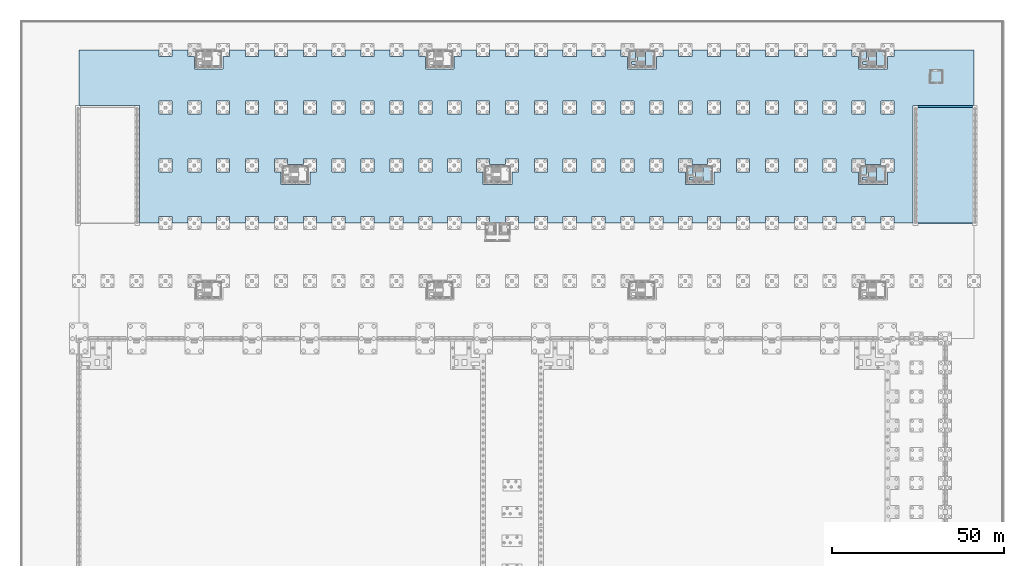
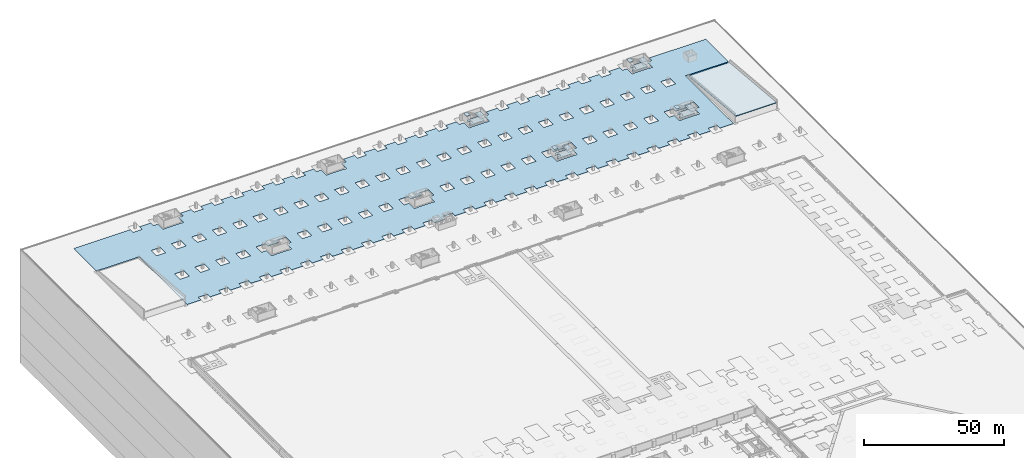
# One storey, part 33 of 67: 15 slabs, 4 elements without a shape of their own.
"""IFC4 building model written with IfcOpenShell, lengths in metres."""

import ifcopenshell
import ifcopenshell.guid

model = None  # the IFC model being written
_history = None  # IfcOwnerHistory: only IFC2X3 demands one
_inside = {}  # id of a spatial element -> (the spatial element, [elements in it])
_under = {}  # id of a project, library or spatial element -> (it, [spatial elements below it])
_declared = {}  # id of a project -> (the project, [libraries it declares])
_typed = {}  # id of a type object -> (the type object, [elements of that type])
_made_of = {}  # id of a material, layer set ... -> (it, [elements and type objects made of it])


def new_model(schema):
    """Start an empty IFC model of exactly this schema.

    Asked for "IFC4X3", IfcOpenShell would pick the latest addendum, in which some entities
    have other attributes; the version numbers below select the first issue.
    IFC2X3 requires an IfcOwnerHistory on every rooted entity: one is made here for all.
    """
    global model, _history
    if schema == "IFC4X3":
        model = ifcopenshell.file(schema_version=(4, 3, 0, 0))
    else:
        model = ifcopenshell.file(schema=schema)
    _inside.clear()
    _under.clear()
    _declared.clear()
    _typed.clear()
    _made_of.clear()
    _history = None
    if model.schema == "IFC2X3":
        org = make("IfcOrganization", Name="unknown")
        user = make(
            "IfcPersonAndOrganization",
            ThePerson=make("IfcPerson", FamilyName="unknown"),
            TheOrganization=org,
        )
        app = make(
            "IfcApplication",
            ApplicationDeveloper=org,
            Version="unknown",
            ApplicationFullName="unknown",
            ApplicationIdentifier="unknown",
        )
        _history = make(
            "IfcOwnerHistory",
            OwningUser=user,
            OwningApplication=app,
            ChangeAction="ADDED",
            CreationDate=0,
        )
    return model


def make(cls, **values):
    """One entity of the class cls with the attributes given. An attribute that is None is left unset."""
    return model.create_entity(
        cls, **{name: value for name, value in values.items() if value is not None}
    )


def rooted(cls, **values):
    """An entity with a GlobalId (a new one), such as an element, a storey or a relation."""
    return make(cls, GlobalId=ifcopenshell.guid.new(), OwnerHistory=_history, **values)


def si_unit(unit_type, name, prefix=None):
    """IfcSIUnit, for example si_unit("LENGTHUNIT", "METRE", prefix="MILLI")."""
    return make("IfcSIUnit", UnitType=unit_type, Prefix=prefix, Name=name)


def assignment(units):
    """IfcUnitAssignment: the units of a project."""
    return None if units is None else make("IfcUnitAssignment", Units=units)


def point(xyz):
    """IfcCartesianPoint."""
    return None if xyz is None else make("IfcCartesianPoint", Coordinates=xyz)


def direction(xyz):
    """IfcDirection."""
    return None if xyz is None else make("IfcDirection", DirectionRatios=xyz)


def frame(location, z_axis=None, x_axis=None):
    """IfcAxis2Placement3D, a coordinate frame: its origin and axes. An axis left out is left unset."""
    return make(
        "IfcAxis2Placement3D",
        Location=point(location),
        Axis=direction(z_axis),
        RefDirection=direction(x_axis),
    )


def origin():
    """The frame at (0, 0, 0) with its axes left unset."""
    return frame((0.0, 0.0, 0.0))


def place(relative_to, where):
    """IfcLocalPlacement: puts the frame where relative to a parent placement (None: the world)."""
    return make(
        "IfcLocalPlacement", PlacementRelTo=relative_to, RelativePlacement=where
    )


def context(
    kind, dimensions, precision=None, world=None, true_north=None, identifier=None
):
    """IfcGeometricRepresentationContext, for example the 3D "Model" context."""
    return make(
        "IfcGeometricRepresentationContext",
        ContextIdentifier=identifier,
        ContextType=kind,
        CoordinateSpaceDimension=dimensions,
        Precision=precision,
        WorldCoordinateSystem=world,
        TrueNorth=true_north,
    )


def subcontext(parent, identifier, kind, view, scale=None):
    """IfcGeometricRepresentationSubContext, for example "Body" below "Model"."""
    return make(
        "IfcGeometricRepresentationSubContext",
        ContextIdentifier=identifier,
        ContextType=kind,
        ParentContext=parent,
        TargetScale=scale,
        TargetView=view,
    )


def project(units=None, contexts=None):
    """IfcProject with its units and contexts."""
    return rooted(
        "IfcProject",
        Name="project",
        RepresentationContexts=contexts,
        UnitsInContext=assignment(units),
    )


def spatial(cls, under=None, at=None, **own):
    """A site, building, storey or space (cls), placed at a placement, below another one or the project."""
    s = rooted(cls, ObjectPlacement=at, **own)
    if under is not None:
        _under.setdefault(under.id(), (under, []))[1].append(s)
    return s


def polyline(points):
    """IfcPolyline through the points."""
    return make("IfcPolyline", Points=[point(p) for p in points])


def outline(outer, holes=None, kind="AREA"):
    """IfcArbitraryClosedProfileDef: a profile drawn as a closed curve; with holes, ...WithVoids."""
    if holes is None:
        return make("IfcArbitraryClosedProfileDef", ProfileType=kind, OuterCurve=outer)
    return make(
        "IfcArbitraryProfileDefWithVoids",
        ProfileType=kind,
        OuterCurve=outer,
        InnerCurves=holes,
    )


def extrude(swept, where, along, depth):
    """IfcExtrudedAreaSolid: the profile swept, set in the frame where, extruded along a direction by depth."""
    return make(
        "IfcExtrudedAreaSolid",
        SweptArea=swept,
        Position=where,
        ExtrudedDirection=direction(along),
        Depth=depth,
    )


def shape(context_of_items, identifier, shape_type, items):
    """IfcShapeRepresentation: the items that make up one representation, for example the "Body"."""
    return make(
        "IfcShapeRepresentation",
        ContextOfItems=context_of_items,
        RepresentationIdentifier=identifier,
        RepresentationType=shape_type,
        Items=items,
    )


def material(Name=None, Category=None):
    """IfcMaterial."""
    return make("IfcMaterial", Name=Name, Category=Category)


def layer(
    of_material, thickness, ventilated=None, Name=None, Category=None, Priority=None
):
    """IfcMaterialLayer: one layer of a wall or slab, of a material (None: an air gap)."""
    return make(
        "IfcMaterialLayer",
        Material=of_material,
        LayerThickness=thickness,
        IsVentilated=ventilated,
        Name=Name,
        Category=Category,
        Priority=Priority,
    )


def layer_set(layers, Name=None):
    """IfcMaterialLayerSet."""
    return make("IfcMaterialLayerSet", MaterialLayers=layers, LayerSetName=Name)


def made_of(thing, what):
    """Note that an element or type object is made of a material, layer set ...; save() writes the relation."""
    if what is not None:
        _made_of.setdefault(what.id(), (what, []))[1].append(thing)
    return thing


def type_object(cls, material=None, **own):
    """A type object (cls), such as IfcWallType, which elements share."""
    return made_of(rooted(cls, **own), material)


def element(
    cls,
    number,
    at=None,
    inside=None,
    cuts=None,
    type_object=None,
    material=None,
    context=None,
    identifier="Body",
    shape_type=None,
    held_by="IfcProductDefinitionShape",
    body=None,
    shapes=None,
    **own,
):
    """One element of the class cls, such as IfcWall. Its Tag is "e" and its number.

    at: its placement. inside: the storey or other place that contains it. cuts: it is an
    opening in that element (IfcRelVoidsElement). A single representation is given by context,
    identifier, shape_type and body (its items); several are given by shapes. held_by: the class
    of the entity that holds the representations. save() writes the other relations.
    """
    e = rooted(cls, Tag="e%d" % number, ObjectPlacement=at, **own)
    if body is not None:
        shapes = [shape(context, identifier, shape_type, body)]
    if shapes is not None:
        e.Representation = make(held_by, Representations=shapes)
    if inside is not None:
        _inside.setdefault(inside.id(), (inside, []))[1].append(e)
    if cuts is not None:
        rooted(
            "IfcRelVoidsElement", RelatingBuildingElement=cuts, RelatedOpeningElement=e
        )
    if type_object is not None:
        _typed.setdefault(type_object.id(), (type_object, []))[1].append(e)
    return made_of(e, material)


def aggregate(whole, parts):
    """IfcRelAggregates: a whole, such as a stair, and the parts it consists of."""
    return rooted("IfcRelAggregates", RelatingObject=whole, RelatedObjects=parts)


def save(model, path):
    """Write the relations noted so far, then the file.

    IfcRelAggregates (storeys below a building ...), IfcRelContainedInSpatialStructure (elements
    in a storey), IfcRelDefinesByType, IfcRelAssociatesMaterial and IfcRelDeclares: one each for
    every whole, place, type object, material and project.
    """
    for whole, parts in _under.values():
        aggregate(whole, parts)
    for where, things in _inside.values():
        rooted(
            "IfcRelContainedInSpatialStructure",
            RelatedElements=things,
            RelatingStructure=where,
        )
    for kind, things in _typed.values():
        rooted("IfcRelDefinesByType", RelatedObjects=things, RelatingType=kind)
    for what, things in _made_of.values():
        rooted("IfcRelAssociatesMaterial", RelatedObjects=things, RelatingMaterial=what)
    for by, libraries in _declared.values():
        rooted("IfcRelDeclares", RelatingContext=by, RelatedDefinitions=libraries)
    model.write(path)


model = new_model("IFC4")

# Units and contexts
model_context = context("Model", 3, precision=1e-05, world=origin(), true_north=direction((0.0, 1.0)))
body_context = subcontext(model_context, "Body", "Model", "MODEL_VIEW")
ifc_project = project(units=[si_unit("LENGTHUNIT", "METRE"), si_unit("AREAUNIT", "SQUARE_METRE"), si_unit("VOLUMEUNIT", "CUBIC_METRE"), si_unit("PLANEANGLEUNIT", "RADIAN"), si_unit("MASSUNIT", "GRAM", prefix="KILO")], contexts=[model_context])

# Site, building, storey
site_placement = place(None, origin())
site = spatial("IfcSite", under=ifc_project, at=site_placement, CompositionType="ELEMENT")
building_placement = place(site_placement, origin())
building = spatial("IfcBuilding", under=site, at=building_placement, Name="Rain Tree Exposition and Congress Centre", CompositionType="ELEMENT")
storey_placement = place(building_placement, frame((0.0, 0.0, -3.0)))
storey = spatial("IfcBuildingStorey", under=building, at=storey_placement, Name="B1", CompositionType="ELEMENT", Elevation=-3.0)

# Slabs
ifc_material_1 = material(Name="Concrete C40/50", Category="concrete")
ifc_layer_1 = layer(ifc_material_1, 0.300048828125)
ifc_layer_set_1 = layer_set([ifc_layer_1], Name="Concrete C40/50")
slab_type_1 = type_object("IfcSlabType", Name="Ground slab 300 logistics", PredefinedType="BASESLAB", material=ifc_layer_set_1)
slab_1_placement = place(storey_placement, frame((0.0, 0.0, -0.300048828125)))
element("IfcSlab", 1, at=slab_1_placement, inside=storey, type_object=slab_type_1, Name="Service yard slab", PredefinedType="BASESLAB", context=body_context, shape_type="SweptSolid", body=[
    extrude(outline(polyline([(268.800048828125, 285.60009765625), (245.5, 285.60009765625), (245.5, 283.699951171875), (243.60009765625, 283.699951171875), (243.60009765625, 280.60009765625), (243.60009765625, 280.0), (242.39990234375, 280.0), (242.39990234375, 280.10009765625), (239.39990234375, 280.10009765625), (236.39990234375, 280.10009765625), (236.39990234375, 280.0), (235.199951171875, 280.0), (235.199951171875, 283.699951171875), (233.300048828125, 283.699951171875), (233.300048828125, 285.60009765625), (228.699951171875, 285.60009765625), (228.699951171875, 283.699951171875), (224.89990234375, 283.699951171875), (224.89990234375, 285.60009765625), (220.300048828125, 285.60009765625), (220.300048828125, 283.699951171875), (216.5, 283.699951171875), (216.5, 285.60009765625), (211.89990234375, 285.60009765625), (211.89990234375, 283.699951171875), (208.10009765625, 283.699951171875), (208.10009765625, 285.60009765625), (203.5, 285.60009765625), (203.5, 283.699951171875), (199.699951171875, 283.699951171875), (199.699951171875, 285.60009765625), (195.10009765625, 285.60009765625), (195.10009765625, 283.699951171875), (191.300048828125, 283.699951171875), (191.300048828125, 285.60009765625), (186.699951171875, 285.60009765625), (186.699951171875, 283.699951171875), (182.89990234375, 283.699951171875), (182.89990234375, 285.60009765625), (178.300048828125, 285.60009765625), (178.300048828125, 283.699951171875), (176.39990234375, 283.699951171875), (176.39990234375, 280.60009765625), (176.39990234375, 280.0), (175.199951171875, 280.0), (175.199951171875, 280.10009765625), (172.199951171875, 280.10009765625), (169.199951171875, 280.10009765625), (169.199951171875, 280.0), (168.0, 280.0), (168.0, 283.699951171875), (166.10009765625, 283.699951171875), (166.10009765625, 285.60009765625), (161.5, 285.60009765625), (161.5, 283.699951171875), (157.699951171875, 283.699951171875), (157.699951171875, 285.60009765625), (153.10009765625, 285.60009765625), (153.10009765625, 283.699951171875), (149.300048828125, 283.699951171875), (149.300048828125, 285.60009765625), (144.699951171875, 285.60009765625), (144.699951171875, 283.699951171875), (140.89990234375, 283.699951171875), (140.89990234375, 285.60009765625), (136.300048828125, 285.60009765625), (136.300048828125, 283.699951171875), (132.5, 283.699951171875), (132.5, 285.60009765625), (127.89990234375, 285.60009765625), (127.89990234375, 283.699951171875), (124.10009765625, 283.699951171875), (124.10009765625, 285.60009765625), (119.5, 285.60009765625), (119.5, 283.699951171875), (117.60009765625, 283.699951171875), (117.60009765625, 280.60009765625), (117.60009765625, 280.0), (116.39990234375, 280.0), (116.39990234375, 280.10009765625), (113.39990234375, 280.10009765625), (110.39990234375, 280.10009765625), (110.39990234375, 280.0), (109.199951171875, 280.0), (109.199951171875, 283.699951171875), (107.300048828125, 283.699951171875), (107.300048828125, 285.60009765625), (102.699951171875, 285.60009765625), (102.699951171875, 283.699951171875), (98.89990234375, 283.699951171875), (98.89990234375, 285.60009765625), (94.300048828125, 285.60009765625), (94.300048828125, 283.699951171875), (90.5, 283.699951171875), (90.5, 285.60009765625), (85.89990234375, 285.60009765625), (85.89990234375, 283.699951171875), (82.10009765625, 283.699951171875), (82.10009765625, 285.60009765625), (77.5, 285.60009765625), (77.5, 283.699951171875), (73.699951171875, 283.699951171875), (73.699951171875, 285.60009765625), (69.10009765625, 285.60009765625), (69.10009765625, 283.699951171875), (65.300048828125, 283.699951171875), (65.300048828125, 285.60009765625), (60.699951171875, 285.60009765625), (60.699951171875, 283.699951171875), (56.89990234375, 283.699951171875), (56.89990234375, 285.60009765625), (52.300048828125, 285.60009765625), (52.300048828125, 283.699951171875), (50.39990234375, 283.699951171875), (50.39990234375, 280.60009765625), (50.39990234375, 280.0), (49.199951171875, 280.0), (49.199951171875, 280.10009765625), (46.199951171875, 280.10009765625), (43.199951171875, 280.10009765625), (43.199951171875, 280.0), (42.0, 280.0), (42.0, 283.699951171875), (40.10009765625, 283.699951171875), (40.10009765625, 285.60009765625), (35.5, 285.60009765625), (35.5, 283.699951171875), (31.699951171875, 283.699951171875), (31.699951171875, 285.60009765625), (8.39990234375, 285.60009765625), (8.39990234375, 269.5), (8.89990234375, 269.5), (8.89990234375, 269.39990234375), (24.699951171875, 269.39990234375), (24.699951171875, 269.5), (26.10009765625, 269.5), (26.10009765625, 235.199951171875), (31.699951171875, 235.199951171875), (31.699951171875, 237.10009765625), (35.5, 237.10009765625), (35.5, 235.199951171875), (40.10009765625, 235.199951171875), (40.10009765625, 237.10009765625), (43.89990234375, 237.10009765625), (43.89990234375, 235.199951171875), (48.5, 235.199951171875), (48.5, 237.10009765625), (52.300048828125, 237.10009765625), (52.300048828125, 235.199951171875), (56.89990234375, 235.199951171875), (56.89990234375, 237.10009765625), (60.699951171875, 237.10009765625), (60.699951171875, 235.199951171875), (65.300048828125, 235.199951171875), (65.300048828125, 237.10009765625), (69.10009765625, 237.10009765625), (69.10009765625, 235.199951171875), (73.699951171875, 235.199951171875), (73.699951171875, 237.10009765625), (77.5, 237.10009765625), (77.5, 235.199951171875), (82.10009765625, 235.199951171875), (82.10009765625, 237.10009765625), (85.89990234375, 237.10009765625), (85.89990234375, 235.199951171875), (90.5, 235.199951171875), (90.5, 237.10009765625), (94.300048828125, 237.10009765625), (94.300048828125, 235.199951171875), (98.89990234375, 235.199951171875), (98.89990234375, 237.10009765625), (102.699951171875, 237.10009765625), (102.699951171875, 235.199951171875), (107.300048828125, 235.199951171875), (107.300048828125, 237.10009765625), (111.10009765625, 237.10009765625), (111.10009765625, 235.199951171875), (115.699951171875, 235.199951171875), (115.699951171875, 237.10009765625), (119.5, 237.10009765625), (119.5, 235.199951171875), (124.10009765625, 235.199951171875), (124.10009765625, 237.10009765625), (127.89990234375, 237.10009765625), (127.89990234375, 235.199951171875), (132.5, 235.199951171875), (132.5, 237.10009765625), (136.300048828125, 237.10009765625), (136.300048828125, 235.199951171875), (140.89990234375, 235.199951171875), (140.89990234375, 237.10009765625), (144.699951171875, 237.10009765625), (144.699951171875, 235.199951171875), (149.300048828125, 235.199951171875), (149.300048828125, 237.10009765625), (153.10009765625, 237.10009765625), (153.10009765625, 235.199951171875), (157.699951171875, 235.199951171875), (157.699951171875, 237.10009765625), (161.5, 237.10009765625), (161.5, 235.199951171875), (166.10009765625, 235.199951171875), (166.10009765625, 237.10009765625), (169.89990234375, 237.10009765625), (169.89990234375, 235.199951171875), (174.5, 235.199951171875), (174.5, 237.10009765625), (178.300048828125, 237.10009765625), (178.300048828125, 235.199951171875), (182.89990234375, 235.199951171875), (182.89990234375, 237.10009765625), (186.699951171875, 237.10009765625), (186.699951171875, 235.199951171875), (191.300048828125, 235.199951171875), (191.300048828125, 237.10009765625), (195.10009765625, 237.10009765625), (195.10009765625, 235.199951171875), (199.699951171875, 235.199951171875), (199.699951171875, 237.10009765625), (203.5, 237.10009765625), (203.5, 235.199951171875), (208.10009765625, 235.199951171875), (208.10009765625, 237.10009765625), (211.89990234375, 237.10009765625), (211.89990234375, 235.199951171875), (216.5, 235.199951171875), (216.5, 237.10009765625), (220.300048828125, 237.10009765625), (220.300048828125, 235.199951171875), (224.89990234375, 235.199951171875), (224.89990234375, 237.10009765625), (228.699951171875, 237.10009765625), (228.699951171875, 235.199951171875), (233.300048828125, 235.199951171875), (233.300048828125, 237.10009765625), (237.10009765625, 237.10009765625), (237.10009765625, 235.199951171875), (241.699951171875, 235.199951171875), (241.699951171875, 237.10009765625), (245.5, 237.10009765625), (245.5, 235.199951171875), (251.10009765625, 235.199951171875), (251.10009765625, 268.800048828125), (251.10009765625, 269.5), (252.5, 269.5), (252.5, 269.39990234375), (268.300048828125, 269.39990234375), (268.300048828125, 269.5), (268.800048828125, 269.5), (268.800048828125, 285.60009765625)]), holes=[polyline([(75.60009765625, 247.0), (75.60009765625, 250.10009765625), (77.5, 250.10009765625), (77.5, 253.89990234375), (73.699951171875, 253.89990234375), (73.699951171875, 252.300048828125), (71.39990234375, 252.300048828125), (69.10009765625, 252.300048828125), (69.10009765625, 253.89990234375), (65.300048828125, 253.89990234375), (65.300048828125, 250.10009765625), (67.199951171875, 250.10009765625), (67.199951171875, 246.39990234375), (68.39990234375, 246.39990234375), (68.39990234375, 246.5), (71.39990234375, 246.5), (74.39990234375, 246.5), (74.39990234375, 246.39990234375), (75.60009765625, 246.39990234375), (75.60009765625, 247.0)]), polyline([(56.89990234375, 253.89990234375), (56.89990234375, 250.10009765625), (60.699951171875, 250.10009765625), (60.699951171875, 253.89990234375), (56.89990234375, 253.89990234375)]), polyline([(48.5, 253.89990234375), (48.5, 250.10009765625), (52.300048828125, 250.10009765625), (52.300048828125, 253.89990234375), (48.5, 253.89990234375)]), polyline([(40.10009765625, 253.89990234375), (40.10009765625, 250.10009765625), (43.89990234375, 250.10009765625), (43.89990234375, 253.89990234375), (40.10009765625, 253.89990234375)]), polyline([(31.699951171875, 250.10009765625), (35.5, 250.10009765625), (35.5, 253.89990234375), (31.699951171875, 253.89990234375), (31.699951171875, 250.10009765625)]), polyline([(73.699951171875, 270.699951171875), (73.699951171875, 266.89990234375), (77.5, 266.89990234375), (77.5, 270.699951171875), (73.699951171875, 270.699951171875)]), polyline([(48.5, 270.699951171875), (48.5, 266.89990234375), (52.300048828125, 266.89990234375), (52.300048828125, 270.699951171875), (48.5, 270.699951171875)]), polyline([(65.300048828125, 270.699951171875), (65.300048828125, 266.89990234375), (69.10009765625, 266.89990234375), (69.10009765625, 270.699951171875), (65.300048828125, 270.699951171875)]), polyline([(56.89990234375, 270.699951171875), (56.89990234375, 266.89990234375), (60.699951171875, 266.89990234375), (60.699951171875, 270.699951171875), (56.89990234375, 270.699951171875)]), polyline([(40.10009765625, 270.699951171875), (40.10009765625, 266.89990234375), (43.89990234375, 266.89990234375), (43.89990234375, 270.699951171875), (40.10009765625, 270.699951171875)]), polyline([(31.699951171875, 270.699951171875), (31.699951171875, 266.89990234375), (35.5, 266.89990234375), (35.5, 270.699951171875), (31.699951171875, 270.699951171875)]), polyline([(134.39990234375, 246.39990234375), (134.39990234375, 247.0), (134.39990234375, 250.10009765625), (136.300048828125, 250.10009765625), (136.300048828125, 253.89990234375), (132.5, 253.89990234375), (132.5, 252.300048828125), (130.199951171875, 252.300048828125), (127.89990234375, 252.300048828125), (127.89990234375, 253.89990234375), (124.10009765625, 253.89990234375), (124.10009765625, 250.10009765625), (126.0, 250.10009765625), (126.0, 246.39990234375), (127.199951171875, 246.39990234375), (127.199951171875, 246.5), (130.199951171875, 246.5), (133.199951171875, 246.5), (133.199951171875, 246.39990234375), (134.39990234375, 246.39990234375)]), polyline([(82.10009765625, 253.89990234375), (82.10009765625, 250.10009765625), (85.89990234375, 250.10009765625), (85.89990234375, 253.89990234375), (82.10009765625, 253.89990234375)]), polyline([(115.699951171875, 253.89990234375), (115.699951171875, 250.10009765625), (119.5, 250.10009765625), (119.5, 253.89990234375), (115.699951171875, 253.89990234375)]), polyline([(107.300048828125, 253.89990234375), (107.300048828125, 250.10009765625), (111.10009765625, 250.10009765625), (111.10009765625, 253.89990234375), (107.300048828125, 253.89990234375)]), polyline([(98.89990234375, 253.89990234375), (98.89990234375, 250.10009765625), (102.699951171875, 250.10009765625), (102.699951171875, 253.89990234375), (98.89990234375, 253.89990234375)]), polyline([(90.5, 250.10009765625), (94.300048828125, 250.10009765625), (94.300048828125, 253.89990234375), (90.5, 253.89990234375), (90.5, 250.10009765625)]), polyline([(107.300048828125, 270.699951171875), (107.300048828125, 266.89990234375), (111.10009765625, 266.89990234375), (111.10009765625, 270.699951171875), (107.300048828125, 270.699951171875)]), polyline([(98.89990234375, 270.699951171875), (98.89990234375, 266.89990234375), (102.699951171875, 266.89990234375), (102.699951171875, 270.699951171875), (98.89990234375, 270.699951171875)]), polyline([(115.699951171875, 270.699951171875), (115.699951171875, 266.89990234375), (119.5, 266.89990234375), (119.5, 270.699951171875), (115.699951171875, 270.699951171875)]), polyline([(124.10009765625, 270.699951171875), (124.10009765625, 266.89990234375), (127.89990234375, 266.89990234375), (127.89990234375, 270.699951171875), (124.10009765625, 270.699951171875)]), polyline([(90.5, 270.699951171875), (90.5, 266.89990234375), (94.300048828125, 266.89990234375), (94.300048828125, 270.699951171875), (90.5, 270.699951171875)]), polyline([(82.10009765625, 270.699951171875), (82.10009765625, 266.89990234375), (85.89990234375, 266.89990234375), (85.89990234375, 270.699951171875), (82.10009765625, 270.699951171875)]), polyline([(132.5, 266.89990234375), (136.300048828125, 266.89990234375), (136.300048828125, 270.699951171875), (132.5, 270.699951171875), (132.5, 266.89990234375)]), polyline([(193.199951171875, 246.39990234375), (193.199951171875, 247.0), (193.199951171875, 250.10009765625), (195.10009765625, 250.10009765625), (195.10009765625, 253.89990234375), (191.300048828125, 253.89990234375), (191.300048828125, 252.300048828125), (189.0, 252.300048828125), (186.699951171875, 252.300048828125), (186.699951171875, 253.89990234375), (182.89990234375, 253.89990234375), (182.89990234375, 250.10009765625), (184.800048828125, 250.10009765625), (184.800048828125, 246.39990234375), (186.0, 246.39990234375), (186.0, 246.5), (189.0, 246.5), (192.0, 246.5), (192.0, 246.39990234375), (193.199951171875, 246.39990234375)]), polyline([(140.89990234375, 253.89990234375), (140.89990234375, 250.10009765625), (144.699951171875, 250.10009765625), (144.699951171875, 253.89990234375), (140.89990234375, 253.89990234375)]), polyline([(174.5, 253.89990234375), (174.5, 250.10009765625), (178.300048828125, 250.10009765625), (178.300048828125, 253.89990234375), (174.5, 253.89990234375)]), polyline([(166.10009765625, 253.89990234375), (166.10009765625, 250.10009765625), (169.89990234375, 250.10009765625), (169.89990234375, 253.89990234375), (166.10009765625, 253.89990234375)]), polyline([(157.699951171875, 253.89990234375), (157.699951171875, 250.10009765625), (161.5, 250.10009765625), (161.5, 253.89990234375), (157.699951171875, 253.89990234375)]), polyline([(149.300048828125, 250.10009765625), (153.10009765625, 250.10009765625), (153.10009765625, 253.89990234375), (149.300048828125, 253.89990234375), (149.300048828125, 250.10009765625)]), polyline([(166.10009765625, 270.699951171875), (166.10009765625, 266.89990234375), (169.89990234375, 266.89990234375), (169.89990234375, 270.699951171875), (166.10009765625, 270.699951171875)]), polyline([(157.699951171875, 270.699951171875), (157.699951171875, 266.89990234375), (161.5, 266.89990234375), (161.5, 270.699951171875), (157.699951171875, 270.699951171875)]), polyline([(149.300048828125, 270.699951171875), (149.300048828125, 266.89990234375), (153.10009765625, 266.89990234375), (153.10009765625, 270.699951171875), (149.300048828125, 270.699951171875)]), polyline([(174.5, 270.699951171875), (174.5, 266.89990234375), (178.300048828125, 266.89990234375), (178.300048828125, 270.699951171875), (174.5, 270.699951171875)]), polyline([(182.89990234375, 270.699951171875), (182.89990234375, 266.89990234375), (186.699951171875, 266.89990234375), (186.699951171875, 270.699951171875), (182.89990234375, 270.699951171875)]), polyline([(140.89990234375, 270.699951171875), (140.89990234375, 266.89990234375), (144.699951171875, 266.89990234375), (144.699951171875, 270.699951171875), (140.89990234375, 270.699951171875)]), polyline([(243.60009765625, 247.0), (243.60009765625, 250.10009765625), (245.5, 250.10009765625), (245.5, 253.89990234375), (241.699951171875, 253.89990234375), (241.699951171875, 252.300048828125), (239.39990234375, 252.300048828125), (237.10009765625, 252.300048828125), (237.10009765625, 253.89990234375), (233.300048828125, 253.89990234375), (233.300048828125, 250.10009765625), (235.199951171875, 250.10009765625), (235.199951171875, 246.39990234375), (236.39990234375, 246.39990234375), (236.39990234375, 246.5), (239.39990234375, 246.5), (242.39990234375, 246.5), (242.39990234375, 246.39990234375), (243.60009765625, 246.39990234375), (243.60009765625, 247.0)]), polyline([(224.89990234375, 253.89990234375), (224.89990234375, 250.10009765625), (228.699951171875, 250.10009765625), (228.699951171875, 253.89990234375), (224.89990234375, 253.89990234375)]), polyline([(216.5, 253.89990234375), (216.5, 250.10009765625), (220.300048828125, 250.10009765625), (220.300048828125, 253.89990234375), (216.5, 253.89990234375)]), polyline([(208.10009765625, 253.89990234375), (208.10009765625, 250.10009765625), (211.89990234375, 250.10009765625), (211.89990234375, 253.89990234375), (208.10009765625, 253.89990234375)]), polyline([(199.699951171875, 250.10009765625), (203.5, 250.10009765625), (203.5, 253.89990234375), (199.699951171875, 253.89990234375), (199.699951171875, 250.10009765625)]), polyline([(216.5, 270.699951171875), (216.5, 266.89990234375), (220.300048828125, 266.89990234375), (220.300048828125, 270.699951171875), (216.5, 270.699951171875)]), polyline([(224.89990234375, 270.699951171875), (224.89990234375, 266.89990234375), (228.699951171875, 266.89990234375), (228.699951171875, 270.699951171875), (224.89990234375, 270.699951171875)]), polyline([(233.300048828125, 270.699951171875), (233.300048828125, 266.89990234375), (237.10009765625, 266.89990234375), (237.10009765625, 270.699951171875), (233.300048828125, 270.699951171875)]), polyline([(208.10009765625, 270.699951171875), (208.10009765625, 266.89990234375), (211.89990234375, 266.89990234375), (211.89990234375, 270.699951171875), (208.10009765625, 270.699951171875)]), polyline([(199.699951171875, 270.699951171875), (199.699951171875, 266.89990234375), (203.5, 266.89990234375), (203.5, 270.699951171875), (199.699951171875, 270.699951171875)]), polyline([(241.699951171875, 270.699951171875), (241.699951171875, 266.89990234375), (245.5, 266.89990234375), (245.5, 270.699951171875), (241.699951171875, 270.699951171875)]), polyline([(191.300048828125, 266.89990234375), (195.10009765625, 266.89990234375), (195.10009765625, 270.699951171875), (191.300048828125, 270.699951171875), (191.300048828125, 266.89990234375)])]), origin(), (0.0, 0.0, 1.0), 0.300048828125),
])
slab_2_placement = place(storey_placement, frame((0.0, 0.0, -0.60009765625)))
element("IfcSlab", 2, at=slab_2_placement, inside=storey, type_object=slab_type_1, Name="Truck Ramp B toe slab", PredefinedType="BASESLAB", context=body_context, shape_type="SweptSolid", body=[
    extrude(outline(polyline([(268.300048828125, 269.39990234375), (252.5, 269.39990234375), (252.5, 268.800048828125), (268.300048828125, 268.800048828125), (268.300048828125, 269.39990234375)])), origin(), (0.0, 0.0, 1.0), 0.60009765625),
])
slab_3_placement = place(storey_placement, frame((0.0, 0.0, -0.300048828125)))
element("IfcSlab", 3, at=slab_3_placement, inside=storey, type_object=slab_type_1, Name="Service yard slab part 3", PredefinedType="BASESLAB", context=body_context, shape_type="SweptSolid", body=[
    extrude(outline(polyline([(239.39990234375, 251.10009765625), (237.10009765625, 251.10009765625), (237.10009765625, 250.10009765625), (236.39990234375, 250.10009765625), (236.39990234375, 249.89990234375), (237.5, 249.89990234375), (238.10009765625, 249.89990234375), (238.10009765625, 248.699951171875), (236.39990234375, 248.699951171875), (236.39990234375, 247.699951171875), (239.39990234375, 247.699951171875), (242.39990234375, 247.699951171875), (242.39990234375, 250.10009765625), (241.699951171875, 250.10009765625), (241.699951171875, 251.10009765625), (239.39990234375, 251.10009765625)])), origin(), (0.0, 0.0, 1.0), 0.300048828125),
])
slab_4_placement = place(storey_placement, frame((0.0, 0.0, -0.300048828125)))
element("IfcSlab", 4, at=slab_4_placement, inside=storey, type_object=slab_type_1, Name="Service yard slab part 4", PredefinedType="BASESLAB", context=body_context, shape_type="SweptSolid", body=[
    extrude(outline(polyline([(186.699951171875, 251.10009765625), (186.699951171875, 250.10009765625), (186.0, 250.10009765625), (186.0, 249.89990234375), (187.10009765625, 249.89990234375), (187.699951171875, 249.89990234375), (187.699951171875, 248.699951171875), (186.0, 248.699951171875), (186.0, 247.699951171875), (189.0, 247.699951171875), (192.0, 247.699951171875), (192.0, 250.10009765625), (191.300048828125, 250.10009765625), (191.300048828125, 251.10009765625), (189.0, 251.10009765625), (186.699951171875, 251.10009765625)])), origin(), (0.0, 0.0, 1.0), 0.300048828125),
])
slab_5_placement = place(storey_placement, frame((0.0, 0.0, -0.300048828125)))
element("IfcSlab", 5, at=slab_5_placement, inside=storey, type_object=slab_type_1, Name="Service yard slab part 5", PredefinedType="BASESLAB", context=body_context, shape_type="SweptSolid", body=[
    extrude(outline(polyline([(170.300048828125, 283.5), (170.89990234375, 283.5), (170.89990234375, 282.300048828125), (169.199951171875, 282.300048828125), (169.199951171875, 281.300048828125), (172.199951171875, 281.300048828125), (175.199951171875, 281.300048828125), (175.199951171875, 283.699951171875), (174.5, 283.699951171875), (174.5, 284.699951171875), (172.199951171875, 284.699951171875), (169.89990234375, 284.699951171875), (169.89990234375, 283.699951171875), (169.199951171875, 283.699951171875), (169.199951171875, 283.5), (170.300048828125, 283.5)])), origin(), (0.0, 0.0, 1.0), 0.300048828125),
])
slab_6_placement = place(storey_placement, frame((0.0, 0.0, -0.300048828125)))
element("IfcSlab", 6, at=slab_6_placement, inside=storey, type_object=slab_type_1, Name="Service yard slab part 7", PredefinedType="BASESLAB", context=body_context, shape_type="SweptSolid", body=[
    extrude(outline(polyline([(238.10009765625, 283.5), (238.10009765625, 282.300048828125), (236.39990234375, 282.300048828125), (236.39990234375, 281.300048828125), (239.39990234375, 281.300048828125), (242.39990234375, 281.300048828125), (242.39990234375, 283.699951171875), (241.699951171875, 283.699951171875), (241.699951171875, 284.699951171875), (239.39990234375, 284.699951171875), (237.10009765625, 284.699951171875), (237.10009765625, 283.699951171875), (236.39990234375, 283.699951171875), (236.39990234375, 283.5), (237.5, 283.5), (238.10009765625, 283.5)])), origin(), (0.0, 0.0, 1.0), 0.300048828125),
])

# Stair, slabs
ifc_material_2 = material(Name="Precast concrete C50/60", Category="concrete")
stair_type = type_object("IfcStairType", Name="Exit stair 1600 wide", PredefinedType="HALF_TURN_STAIR", material=ifc_material_2)
stair_1_placement = place(storey_placement, origin())
stair_1 = element("IfcStair", 7, at=stair_1_placement, inside=storey, type_object=stair_type, Name="Exit stair N07", PredefinedType="HALF_TURN_STAIR")
ifc_material_3 = material(Name="Precast concrete C50/60", Category="concrete")
ifc_layer_2 = layer(ifc_material_3, 0.199951171875)
ifc_layer_set_2 = layer_set([ifc_layer_2], Name="Precast concrete C50/60")
slab_type_2 = type_object("IfcSlabType", Name="Precast landing 200", PredefinedType="LANDING", material=ifc_layer_set_2)
slab_7_placement = place(storey_placement, frame((0.0, 0.0, 1.300048828125)))
slab_7 = element("IfcSlab", 8, at=slab_7_placement, type_object=slab_type_2, Name="XS-N07 landing 1", PredefinedType="LANDING", context=body_context, shape_type="SweptSolid", body=[
    extrude(outline(polyline([(189.9599609375, 247.199951171875), (192.5, 247.199951171875), (192.5, 251.60009765625), (189.9599609375, 251.60009765625), (189.9599609375, 247.199951171875)])), origin(), (0.0, 0.0, 1.0), 0.199951171875),
])
slab_8_placement = place(storey_placement, frame((0.0, 0.0, 2.800048828125)))
slab_8 = element("IfcSlab", 9, at=slab_8_placement, type_object=slab_type_2, Name="XS-N07 landing 2", PredefinedType="LANDING", context=body_context, shape_type="SweptSolid", body=[
    extrude(outline(polyline([(185.5, 249.39990234375), (187.10009765625, 249.39990234375), (187.10009765625, 251.60009765625), (185.5, 251.60009765625), (185.5, 249.39990234375)])), origin(), (0.0, 0.0, 1.0), 0.199951171875),
])
aggregate(stair_1, [slab_7, slab_8])

stair_2_placement = place(storey_placement, origin())
stair_2 = element("IfcStair", 10, at=stair_2_placement, inside=storey, type_object=stair_type, Name="Exit stair N08", PredefinedType="HALF_TURN_STAIR")
slab_9_placement = place(storey_placement, frame((0.0, 0.0, 1.300048828125)))
slab_9 = element("IfcSlab", 11, at=slab_9_placement, type_object=slab_type_2, Name="XS-N08 landing 1", PredefinedType="LANDING", context=body_context, shape_type="SweptSolid", body=[
    extrude(outline(polyline([(240.360107421875, 247.199951171875), (242.89990234375, 247.199951171875), (242.89990234375, 251.60009765625), (240.360107421875, 251.60009765625), (240.360107421875, 247.199951171875)])), origin(), (0.0, 0.0, 1.0), 0.199951171875),
])
slab_10_placement = place(storey_placement, frame((0.0, 0.0, 2.800048828125)))
slab_10 = element("IfcSlab", 12, at=slab_10_placement, type_object=slab_type_2, Name="XS-N08 landing 2", PredefinedType="LANDING", context=body_context, shape_type="SweptSolid", body=[
    extrude(outline(polyline([(235.89990234375, 249.39990234375), (237.5, 249.39990234375), (237.5, 251.60009765625), (235.89990234375, 251.60009765625), (235.89990234375, 249.39990234375)])), origin(), (0.0, 0.0, 1.0), 0.199951171875),
])
aggregate(stair_2, [slab_9, slab_10])

stair_3_placement = place(storey_placement, origin())
stair_3 = element("IfcStair", 13, at=stair_3_placement, inside=storey, type_object=stair_type, Name="Exit stair N11", PredefinedType="HALF_TURN_STAIR")
slab_11_placement = place(storey_placement, frame((0.0, 0.0, 1.300048828125)))
slab_11 = element("IfcSlab", 14, at=slab_11_placement, type_object=slab_type_2, Name="XS-N11 landing 1", PredefinedType="LANDING", context=body_context, shape_type="SweptSolid", body=[
    extrude(outline(polyline([(173.159912109375, 280.800048828125), (175.699951171875, 280.800048828125), (175.699951171875, 285.199951171875), (173.159912109375, 285.199951171875), (173.159912109375, 280.800048828125)])), origin(), (0.0, 0.0, 1.0), 0.199951171875),
])
slab_12_placement = place(storey_placement, frame((0.0, 0.0, 2.800048828125)))
slab_12 = element("IfcSlab", 15, at=slab_12_placement, type_object=slab_type_2, Name="XS-N11 landing 2", PredefinedType="LANDING", context=body_context, shape_type="SweptSolid", body=[
    extrude(outline(polyline([(168.699951171875, 283.0), (170.300048828125, 283.0), (170.300048828125, 285.199951171875), (168.699951171875, 285.199951171875), (168.699951171875, 283.0)])), origin(), (0.0, 0.0, 1.0), 0.199951171875),
])
aggregate(stair_3, [slab_11, slab_12])

stair_4_placement = place(storey_placement, origin())
stair_4 = element("IfcStair", 16, at=stair_4_placement, inside=storey, type_object=stair_type, Name="Exit stair N12", PredefinedType="HALF_TURN_STAIR")
slab_13_placement = place(storey_placement, frame((0.0, 0.0, 1.300048828125)))
slab_13 = element("IfcSlab", 17, at=slab_13_placement, type_object=slab_type_2, Name="XS-N12 landing 1", PredefinedType="LANDING", context=body_context, shape_type="SweptSolid", body=[
    extrude(outline(polyline([(240.360107421875, 280.800048828125), (242.89990234375, 280.800048828125), (242.89990234375, 285.199951171875), (240.360107421875, 285.199951171875), (240.360107421875, 280.800048828125)])), origin(), (0.0, 0.0, 1.0), 0.199951171875),
])
slab_14_placement = place(storey_placement, frame((0.0, 0.0, 2.800048828125)))
slab_14 = element("IfcSlab", 18, at=slab_14_placement, type_object=slab_type_2, Name="XS-N12 landing 2", PredefinedType="LANDING", context=body_context, shape_type="SweptSolid", body=[
    extrude(outline(polyline([(235.89990234375, 283.0), (237.5, 283.0), (237.5, 285.199951171875), (235.89990234375, 285.199951171875), (235.89990234375, 283.0)])), origin(), (0.0, 0.0, 1.0), 0.199951171875),
])
aggregate(stair_4, [slab_13, slab_14])

# Slab
ifc_material_4 = material(Name="Concrete C40/50", Category="concrete")
ifc_layer_3 = layer(ifc_material_4, 0.300048828125)
ifc_layer_set_3 = layer_set([ifc_layer_3], Name="Concrete C40/50")
slab_type_3 = type_object("IfcSlabType", Name="Truck ramp slab 300", PredefinedType="FLOOR", material=ifc_layer_set_3)
slab_15_placement = place(storey_placement, frame((252.0, 268.800048828125, 0.0), z_axis=(0.0, 0.088931681545, 0.99603772821), x_axis=(1.0, 0.0, 0.0)))
element("IfcSlab", 19, at=slab_15_placement, inside=storey, type_object=slab_type_3, Name="Truck Ramp B loading slab", PredefinedType="FLOOR", context=body_context, shape_type="SweptSolid", body=[
    extrude(outline(polyline([(0.0, 0.0), (16.800048828125, 0.0), (16.800048828125, -33.73375998179771), (0.0, -33.73375998179771), (0.0, 0.0)])), origin(), (0.0, 0.0, -1.0), 0.300048828125),
])

save(model, "model.ifc")
